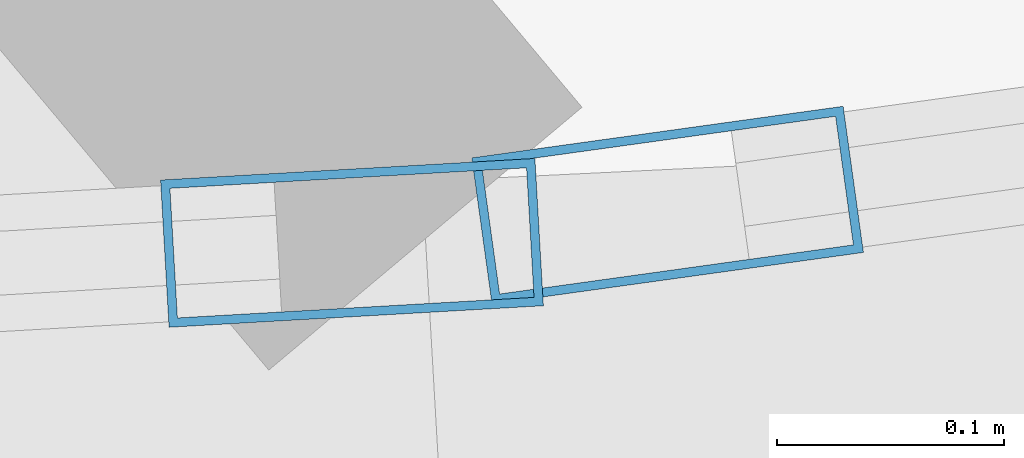
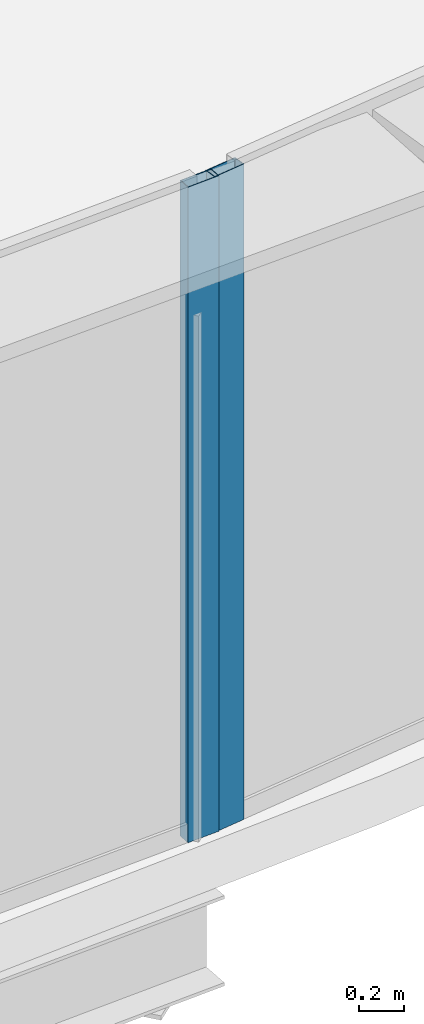
# One storey, part 12 of 37: 2 members, 2 elements without a shape of their own.
"""IFC4 building model written with IfcOpenShell, lengths in metres."""

from ifc_helpers import new_model, si_unit, direction, frame, origin, origin_2d, place, context, subcontext, project, spatial, hollow_rectangle, extrude, source, transform, mapped, material, layer, layer_set, material_profile, profile_set, type_object, element, aggregate, save


model = new_model("IFC4")

# Units and contexts
model_context = context("Model", 3, precision=1e-05, world=origin(), true_north=direction((0.0, 1.0)))
body_context = subcontext(model_context, "Body", "Model", "MODEL_VIEW")
ifc_project = project(units=[si_unit("LENGTHUNIT", "METRE"), si_unit("AREAUNIT", "SQUARE_METRE"), si_unit("VOLUMEUNIT", "CUBIC_METRE"), si_unit("PLANEANGLEUNIT", "RADIAN"), si_unit("MASSUNIT", "GRAM", prefix="KILO"), si_unit("THERMODYNAMICTEMPERATUREUNIT", "KELVIN"), si_unit("POWERUNIT", "WATT")], contexts=[model_context])

# Site, building, storey
site_placement = place(None, origin())
site = spatial("IfcSite", under=ifc_project, at=site_placement, CompositionType="ELEMENT")
building_placement = place(site_placement, origin())
building = spatial("IfcBuilding", under=site, at=building_placement, Name="Yunzhuo Pagoda Commons", CompositionType="ELEMENT")
storey_placement = place(building_placement, frame((0.0, 0.0, 88.780029296875)))
storey = spatial("IfcBuildingStorey", under=building, at=storey_placement, Name="L22", CompositionType="ELEMENT", Elevation=88.780029296875)

# Curtain wall, member
ifc_material = material(Name="Anodized aluminium 6063-T6", Category="aluminium")
ifc_layer = layer(ifc_material, 0.1650390625)
ifc_layer_set = layer_set([ifc_layer], Name="Anodized aluminium 6063-T6")
curtain_wall_type = type_object("IfcCurtainWallType", Name="CW-LOW Low-Zone Ribbon Curtain Wall", PredefinedType="NOTDEFINED", material=ifc_layer_set)
curtain_wall_1_placement = place(storey_placement, origin())
curtain_wall_1 = element("IfcCurtainWall", 1, at=curtain_wall_1_placement, inside=storey, type_object=curtain_wall_type, Name="L22 curtain wall CW-L22-F1B4", PredefinedType="NOTDEFINED")
ifc_material_profile = material_profile(ifc_material, hollow_rectangle(XDim=0.06494140625, YDim=0.1650390625, WallThickness=0.00390625, at=origin_2d()), Name="Anodized aluminium 6063-T6")
ifc_profile_set = profile_set([ifc_material_profile], Name="Anodized aluminium 6063-T6")
member_type = type_object("IfcMemberType", Name="CW-LOW-M Mullion RHS 165x65x4", PredefinedType="MULLION", material=ifc_profile_set)
shared_shape = source(origin(), body_context, "Body", "SweptSolid", [
    extrude(hollow_rectangle(XDim=0.06494140625, YDim=0.1650390625, WallThickness=0.00390625, at=origin_2d()), origin(), (0.0, 0.0, 1.0), 3.5400390625),
])
member_1_placement = place(storey_placement, frame((65.929931640625, 12.291748046875, 0.0), z_axis=(0.0, 0.0, 1.0), x_axis=(-0.057418382325, 0.998350203772, 0.0)))
member_1 = element("IfcMember", 2, at=member_1_placement, type_object=member_type, Name="CW mullion 2", PredefinedType="MULLION", context=body_context, shape_type="MappedRepresentation", body=[
    mapped(shared_shape, transform((0.0, 0.0, 0.0), scale=1.0)),
])
aggregate(curtain_wall_1, [member_1])

curtain_wall_2_placement = place(storey_placement, origin())
curtain_wall_2 = element("IfcCurtainWall", 3, at=curtain_wall_2_placement, inside=storey, type_object=curtain_wall_type, Name="L22 curtain wall CW-L22-F1B5", PredefinedType="NOTDEFINED")
member_2_placement = place(storey_placement, frame((66.06884765625, 12.308349609375, 0.0), z_axis=(0.0, 0.0, 1.0), x_axis=(-0.137495700118, 0.990502363677, 0.0)))
member_2 = element("IfcMember", 4, at=member_2_placement, type_object=member_type, Name="CW mullion 1", PredefinedType="MULLION", context=body_context, shape_type="MappedRepresentation", body=[
    mapped(shared_shape, transform((0.0, 0.0, 0.0), scale=1.0)),
])
aggregate(curtain_wall_2, [member_2])

save(model, "model.ifc")
